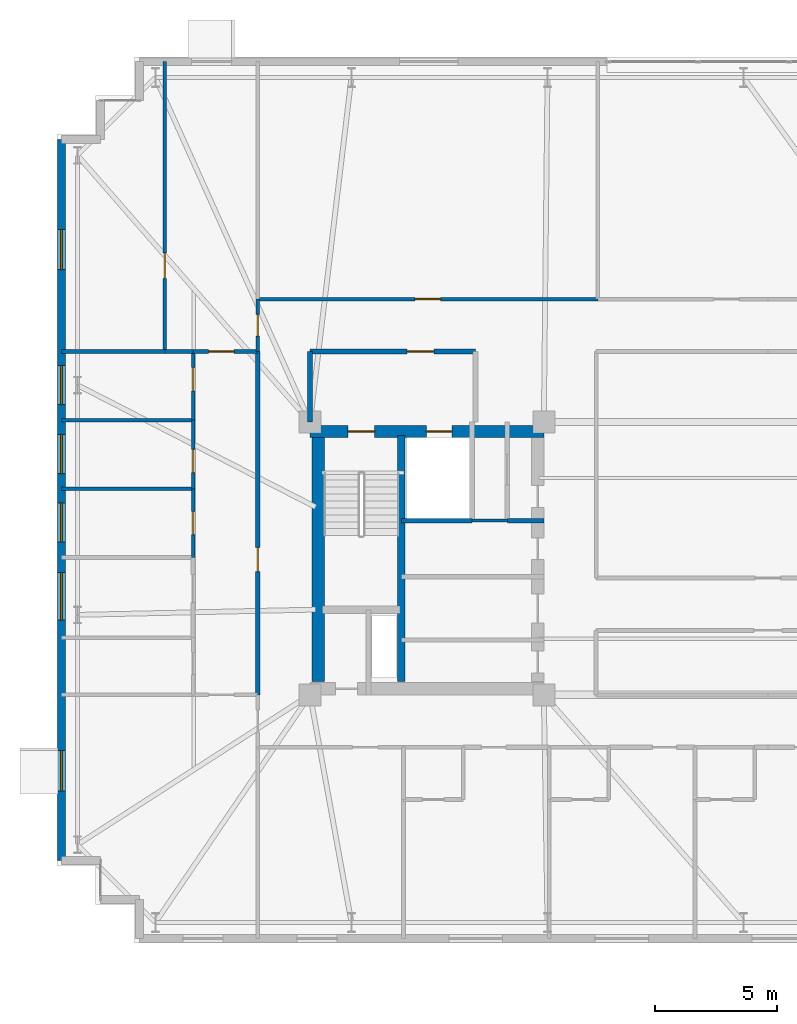
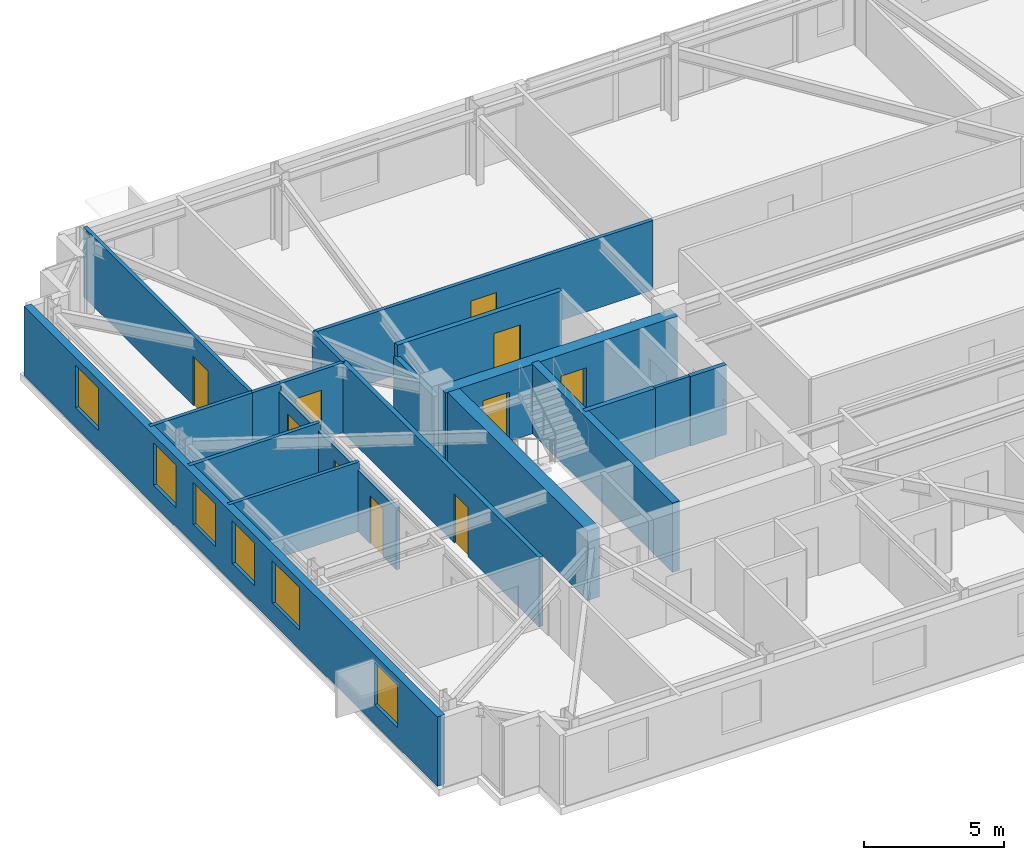
# One storey, part 13 of 18: 21 walls, 11 doors, 6 windows, 17 openings.
"""IFC4 building model written with IfcOpenShell, lengths in metres."""

from ifc_helpers import new_model, si_unit, direction, frame, frame_2d, origin, place, context, subcontext, project, spatial, rectangle, extrude, material, layer, layer_set, type_object, element, fill, save


model = new_model("IFC4")

# Units and contexts
model_context = context("Model", 3, precision=1e-05, world=origin(), true_north=direction((0.0, 1.0)))
body_context = subcontext(model_context, "Body", "Model", "MODEL_VIEW")
ifc_project = project(units=[si_unit("LENGTHUNIT", "METRE"), si_unit("AREAUNIT", "SQUARE_METRE"), si_unit("VOLUMEUNIT", "CUBIC_METRE"), si_unit("PLANEANGLEUNIT", "RADIAN"), si_unit("MASSUNIT", "GRAM", prefix="KILO")], contexts=[model_context])

# Site, building, storey
site_placement = place(None, origin())
site = spatial("IfcSite", under=ifc_project, at=site_placement, CompositionType="ELEMENT")
building_placement = place(site_placement, origin())
building = spatial("IfcBuilding", under=site, at=building_placement, Name="Qobustan Lattice House", CompositionType="ELEMENT")
storey_placement = place(building_placement, frame((0.0, 0.0, 154.449951171875)))
storey = spatial("IfcBuildingStorey", under=building, at=storey_placement, Name="L43", CompositionType="ELEMENT", Elevation=154.449951171875)

# Wall, openings, doors
ifc_material_1 = material(Name="Concrete C50/60", Category="concrete")
ifc_layer_1 = layer(ifc_material_1, 0.5)
ifc_layer_set_1 = layer_set([ifc_layer_1], Name="Concrete C50/60")
wall_type_1 = type_object("IfcWallType", Name="WAL-CORE-500", PredefinedType="SHEAR", material=ifc_layer_set_1)
wall_1_placement = place(storey_placement, frame((-18.800048828125, 5.2099609375, 0.0), z_axis=(0.0, 0.0, 1.0), x_axis=(1.0, 0.0, 0.0)))
wall_1 = element("IfcWall", 1, at=wall_1_placement, inside=storey, type_object=wall_type_1, Name="L43 split-core shear wall CW-N", PredefinedType="SHEAR", context=body_context, shape_type="SweptSolid", body=[
    extrude(rectangle(XDim=9.60009765625, YDim=0.5, at=frame_2d((4.800048828125, 0.0))), origin(), (0.0, 0.0, 1.0), 3.0400390625),
])
opening_1_placement = place(wall_1_placement, frame((1.550048828125, 0.0, 0.0)))
opening_1 = element("IfcOpeningElement", 2, at=opening_1_placement, cuts=wall_1, Name="Opening SD-01", PredefinedType="OPENING", context=body_context, shape_type="SweptSolid", body=[
    extrude(rectangle(XDim=1.10009765625, YDim=2.14990234375, at=frame_2d((0.550048828125, 1.074951171875))), frame((0.0, 0.260009765625, 0.0), z_axis=(0.0, -1.0, 0.0), x_axis=(1.0, 0.0, 0.0)), (0.0, 0.0, 1.0), 0.52001953125),
])
opening_2_placement = place(wall_1_placement, frame((4.77490234375, 0.0, 0.0)))
opening_2 = element("IfcOpeningElement", 3, at=opening_2_placement, cuts=wall_1, Name="Opening LD-01", PredefinedType="OPENING", context=body_context, shape_type="SweptSolid", body=[
    extrude(rectangle(XDim=1.050048828125, YDim=2.10009765625, at=frame_2d((0.52490234375, 1.050048828125))), frame((0.0, 0.260009765625, 0.0), z_axis=(0.0, -1.0, 0.0), x_axis=(1.0, 0.0, 0.0)), (0.0, 0.0, 1.0), 0.52001953125),
])
ifc_material_2 = material(Name="Persian walnut timber and steel frame door", Category="steel")
door_type_1 = type_object("IfcDoorType", Name="DOR-LIFT-LD-1050x2100", OperationType="NOTDEFINED", PredefinedType="DOOR", material=ifc_material_2)
door_1_placement = place(opening_2_placement, origin())
door_1 = element("IfcDoor", 4, at=door_1_placement, inside=storey, type_object=door_type_1, Name="L43 firefighting lift FF-W landing door", OperationType="DOUBLE_DOOR_SLIDING", OverallHeight=2.10009765625, OverallWidth=1.050048828125, PredefinedType="DOOR", context=body_context, shape_type="SweptSolid", body=[
    extrude(rectangle(XDim=1.050048828125, YDim=2.10009765625, at=frame_2d((0.52490234375, 1.050048828125))), frame((0.0, 0.02490234375, 0.0), z_axis=(0.0, -1.0, 0.0), x_axis=(1.0, 0.0, 0.0)), (0.0, 0.0, 1.0), 0.050048828125),
])
fill(opening_2, door_1)
ifc_material_3 = material(Name="Persian walnut timber and steel frame door", Category="steel")
door_type_2 = type_object("IfcDoorType", Name="DOR-STAIR-FD-1100x2150", OperationType="NOTDEFINED", PredefinedType="DOOR", material=ifc_material_3)
door_2_placement = place(opening_1_placement, origin())
door_2 = element("IfcDoor", 5, at=door_2_placement, inside=storey, type_object=door_type_2, Name="L43 exit stair ST-W1 fire door", OperationType="SINGLE_SWING_RIGHT", OverallHeight=2.14990234375, OverallWidth=1.10009765625, PredefinedType="DOOR", context=body_context, shape_type="SweptSolid", body=[
    extrude(rectangle(XDim=1.10009765625, YDim=2.14990234375, at=frame_2d((0.550048828125, 1.074951171875))), frame((0.0, 0.02490234375, 0.0), z_axis=(0.0, -1.0, 0.0), x_axis=(1.0, 0.0, 0.0)), (0.0, 0.0, 1.0), 0.050048828125),
])
fill(opening_1, door_2)

# Walls
wall_2_placement = place(storey_placement, frame((-18.4599609375, -5.050048828125, 0.0), z_axis=(0.0, 0.0, 1.0), x_axis=(0.0, 1.0, 0.0)))
element("IfcWall", 6, at=wall_2_placement, inside=storey, type_object=wall_type_1, Name="L43 split-core shear wall CW-W", PredefinedType="SHEAR", context=body_context, shape_type="SweptSolid", body=[
    extrude(rectangle(XDim=10.10009765625, YDim=0.5, at=frame_2d((5.050048828125, 0.0))), origin(), (0.0, 0.0, 1.0), 3.0400390625),
])
ifc_material_4 = material(Name="Concrete C50/60", Category="concrete")
ifc_layer_2 = layer(ifc_material_4, 0.280029296875)
ifc_layer_set_2 = layer_set([ifc_layer_2], Name="Concrete C50/60")
wall_type_2 = type_object("IfcWallType", Name="WAL-CORE-SPINE-280", PredefinedType="SHEAR", material=ifc_layer_set_2)
wall_3_placement = place(storey_placement, frame((-15.050048828125, -5.050048828125, 0.0), z_axis=(0.0, 0.0, 1.0), x_axis=(0.0, 1.0, 0.0)))
element("IfcWall", 7, at=wall_3_placement, inside=storey, type_object=wall_type_2, Name="L43 split-core shear wall CW-M", PredefinedType="SHEAR", context=body_context, shape_type="SweptSolid", body=[
    extrude(rectangle(XDim=10.10009765625, YDim=0.300048828125, at=frame_2d((5.050048828125, 0.0))), origin(), (0.0, 0.0, 1.0), 3.0400390625),
])

# Wall, openings, windows
ifc_material_5 = material(Name="Precast concrete C40/50", Category="concrete")
ifc_layer_3 = layer(ifc_material_5, 0.320068359375)
ifc_layer_set_3 = layer_set([ifc_layer_3], Name="Precast concrete C40/50")
wall_type_3 = type_object("IfcWallType", Name="WAL-EXT-STONE-320", PredefinedType="SOLIDWALL", material=ifc_layer_set_3)
wall_4_placement = place(storey_placement, frame((-29.0, -12.39990234375, 0.0), z_axis=(0.0, 0.0, 1.0), x_axis=(0.0, 1.0, 0.0)))
wall_4 = element("IfcWall", 8, at=wall_4_placement, inside=storey, type_object=wall_type_3, Name="L43 exterior limestone-clad wall 5", PredefinedType="SOLIDWALL", context=body_context, shape_type="SweptSolid", body=[
    extrude(rectangle(XDim=29.599853515625, YDim=0.320068359375, at=frame_2d((14.7998046875, 0.0))), origin(), (0.0, 0.0, 1.0), 3.0400390625),
])
opening_3_placement = place(wall_4_placement, frame((2.85498046875, 0.0, 0.85009765625)))
opening_3 = element("IfcOpeningElement", 9, at=opening_3_placement, cuts=wall_4, Name="Opening WN-09", PredefinedType="OPENING", context=body_context, shape_type="SweptSolid", body=[
    extrude(rectangle(XDim=1.64990234375, YDim=1.85009765625, at=frame_2d((0.824951171875, 0.925048828125))), frame((0.0, 0.169921875, 0.0), z_axis=(0.0, -1.0, 0.0), x_axis=(1.0, 0.0, 0.0)), (0.0, 0.0, 1.0), 0.340087890625),
])
opening_4_placement = place(wall_4_placement, frame((9.864990234375, 0.0, 0.85009765625)))
opening_4 = element("IfcOpeningElement", 10, at=opening_4_placement, cuts=wall_4, Name="Opening WN-08", PredefinedType="OPENING", context=body_context, shape_type="SweptSolid", body=[
    extrude(rectangle(XDim=1.949951171875, YDim=1.85009765625, at=frame_2d((0.97509765625, 0.925048828125))), frame((0.0, 0.169921875, 0.0), z_axis=(0.0, -1.0, 0.0), x_axis=(1.0, 0.0, 0.0)), (0.0, 0.0, 1.0), 0.340087890625),
])
opening_5_placement = place(wall_4_placement, frame((13.080078125, 0.0, 0.85009765625)))
opening_5 = element("IfcOpeningElement", 11, at=opening_5_placement, cuts=wall_4, Name="Opening WN-13", PredefinedType="OPENING", context=body_context, shape_type="SweptSolid", body=[
    extrude(rectangle(XDim=1.60009765625, YDim=1.85009765625, at=frame_2d((0.800048828125, 0.925048828125))), frame((0.0, 0.169921875, 0.0), z_axis=(0.0, -1.0, 0.0), x_axis=(1.0, 0.0, 0.0)), (0.0, 0.0, 1.0), 0.340087890625),
])
opening_6_placement = place(wall_4_placement, frame((15.8798828125, 0.0, 0.85009765625)))
opening_6 = element("IfcOpeningElement", 12, at=opening_6_placement, cuts=wall_4, Name="Opening WN-13", PredefinedType="OPENING", context=body_context, shape_type="SweptSolid", body=[
    extrude(rectangle(XDim=1.60009765625, YDim=1.85009765625, at=frame_2d((0.800048828125, 0.925048828125))), frame((0.0, 0.169921875, 0.0), z_axis=(0.0, -1.0, 0.0), x_axis=(1.0, 0.0, 0.0)), (0.0, 0.0, 1.0), 0.340087890625),
])
opening_7_placement = place(wall_4_placement, frame((18.719970703125, 0.0, 0.85009765625)))
opening_7 = element("IfcOpeningElement", 13, at=opening_7_placement, cuts=wall_4, Name="Opening WN-13", PredefinedType="OPENING", context=body_context, shape_type="SweptSolid", body=[
    extrude(rectangle(XDim=1.60009765625, YDim=1.85009765625, at=frame_2d((0.800048828125, 0.925048828125))), frame((0.0, 0.169921875, 0.0), z_axis=(0.0, -1.0, 0.0), x_axis=(1.0, 0.0, 0.0)), (0.0, 0.0, 1.0), 0.340087890625),
])
opening_8_placement = place(wall_4_placement, frame((24.2548828125, 0.0, 0.85009765625)))
opening_8 = element("IfcOpeningElement", 14, at=opening_8_placement, cuts=wall_4, Name="Opening WN-09", PredefinedType="OPENING", context=body_context, shape_type="SweptSolid", body=[
    extrude(rectangle(XDim=1.64990234375, YDim=1.85009765625, at=frame_2d((0.824951171875, 0.925048828125))), frame((0.0, 0.169921875, 0.0), z_axis=(0.0, -1.0, 0.0), x_axis=(1.0, 0.0, 0.0)), (0.0, 0.0, 1.0), 0.340087890625),
])
ifc_material_6 = material(Name="Double-glazed low-E aluminium window", Category="aluminium")
window_type_1 = type_object("IfcWindowType", Name="WIN-BED-1600x1850", PartitioningType="SINGLE_PANEL", PredefinedType="WINDOW", material=ifc_material_6)
window_1_placement = place(opening_5_placement, origin())
window_1 = element("IfcWindow", 15, at=window_1_placement, inside=storey, type_object=window_type_1, Name="L43 Cluster bedroom L43W1 window", OverallHeight=1.85009765625, OverallWidth=1.60009765625, PartitioningType="SINGLE_PANEL", PredefinedType="WINDOW", context=body_context, shape_type="SweptSolid", body=[
    extrude(rectangle(XDim=1.60009765625, YDim=1.85009765625, at=frame_2d((0.800048828125, 0.925048828125))), frame((0.0, 0.030029296875, 0.0), z_axis=(0.0, -1.0, 0.0), x_axis=(1.0, 0.0, 0.0)), (0.0, 0.0, 1.0), 0.06005859375),
])
fill(opening_5, window_1)
window_2_placement = place(opening_6_placement, origin())
window_2 = element("IfcWindow", 16, at=window_2_placement, inside=storey, type_object=window_type_1, Name="L43 Cluster bedroom L43W2 window", OverallHeight=1.85009765625, OverallWidth=1.60009765625, PartitioningType="SINGLE_PANEL", PredefinedType="WINDOW", context=body_context, shape_type="SweptSolid", body=[
    extrude(rectangle(XDim=1.60009765625, YDim=1.85009765625, at=frame_2d((0.800048828125, 0.925048828125))), frame((0.0, 0.030029296875, 0.0), z_axis=(0.0, -1.0, 0.0), x_axis=(1.0, 0.0, 0.0)), (0.0, 0.0, 1.0), 0.06005859375),
])
fill(opening_6, window_2)
window_3_placement = place(opening_7_placement, origin())
window_3 = element("IfcWindow", 17, at=window_3_placement, inside=storey, type_object=window_type_1, Name="L43 Cluster bedroom L43W3 window", OverallHeight=1.85009765625, OverallWidth=1.60009765625, PartitioningType="SINGLE_PANEL", PredefinedType="WINDOW", context=body_context, shape_type="SweptSolid", body=[
    extrude(rectangle(XDim=1.60009765625, YDim=1.85009765625, at=frame_2d((0.800048828125, 0.925048828125))), frame((0.0, 0.030029296875, 0.0), z_axis=(0.0, -1.0, 0.0), x_axis=(1.0, 0.0, 0.0)), (0.0, 0.0, 1.0), 0.06005859375),
])
fill(opening_7, window_3)
ifc_material_7 = material(Name="Double-glazed low-E aluminium window", Category="aluminium")
window_type_2 = type_object("IfcWindowType", Name="WIN-KIT-1950x1850", PartitioningType="SINGLE_PANEL", PredefinedType="WINDOW", material=ifc_material_7)
window_4_placement = place(opening_4_placement, origin())
window_4 = element("IfcWindow", 18, at=window_4_placement, inside=storey, type_object=window_type_2, Name="L43 Shared kitchen L43W window", OverallHeight=1.85009765625, OverallWidth=1.949951171875, PartitioningType="SINGLE_PANEL", PredefinedType="WINDOW", context=body_context, shape_type="SweptSolid", body=[
    extrude(rectangle(XDim=1.949951171875, YDim=1.85009765625, at=frame_2d((0.97509765625, 0.925048828125))), frame((0.0, 0.030029296875, 0.0), z_axis=(0.0, -1.0, 0.0), x_axis=(1.0, 0.0, 0.0)), (0.0, 0.0, 1.0), 0.06005859375),
])
fill(opening_4, window_4)
ifc_material_8 = material(Name="Double-glazed low-E aluminium window", Category="aluminium")
window_type_3 = type_object("IfcWindowType", Name="WIN-STU-1650x1850", PartitioningType="SINGLE_PANEL", PredefinedType="WINDOW", material=ifc_material_8)
window_5_placement = place(opening_3_placement, origin())
window_5 = element("IfcWindow", 19, at=window_5_placement, inside=storey, type_object=window_type_3, Name="L43 Reading study room L43WS window", OverallHeight=1.85009765625, OverallWidth=1.64990234375, PartitioningType="SINGLE_PANEL", PredefinedType="WINDOW", context=body_context, shape_type="SweptSolid", body=[
    extrude(rectangle(XDim=1.64990234375, YDim=1.85009765625, at=frame_2d((0.824951171875, 0.925048828125))), frame((0.0, 0.030029296875, 0.0), z_axis=(0.0, -1.0, 0.0), x_axis=(1.0, 0.0, 0.0)), (0.0, 0.0, 1.0), 0.06005859375),
])
fill(opening_3, window_5)
window_6_placement = place(opening_8_placement, origin())
window_6 = element("IfcWindow", 20, at=window_6_placement, inside=storey, type_object=window_type_3, Name="L43 Collaborative study room L43WN window", OverallHeight=1.85009765625, OverallWidth=1.64990234375, PartitioningType="SINGLE_PANEL", PredefinedType="WINDOW", context=body_context, shape_type="SweptSolid", body=[
    extrude(rectangle(XDim=1.64990234375, YDim=1.85009765625, at=frame_2d((0.824951171875, 0.925048828125))), frame((0.0, 0.030029296875, 0.0), z_axis=(0.0, -1.0, 0.0), x_axis=(1.0, 0.0, 0.0)), (0.0, 0.0, 1.0), 0.06005859375),
])
fill(opening_8, window_6)

# Wall
ifc_material_9 = material(Name="Gypsum fireboard acoustic partition", Category="gypsum")
ifc_layer_4 = layer(ifc_material_9, 0.179931640625)
ifc_layer_set_4 = layer_set([ifc_layer_4], Name="Gypsum fireboard acoustic partition")
wall_type_4 = type_object("IfcWallType", Name="WAL-FIRE-180", PredefinedType="PARTITIONING", material=ifc_layer_set_4)
wall_5_placement = place(storey_placement, frame((-10.699951171875, 1.550048828125, 0.0), z_axis=(0.0, 0.0, 1.0), x_axis=(1.0, 0.0, 0.0)))
element("IfcWall", 21, at=wall_5_placement, inside=storey, type_object=wall_type_4, Name="L43 interior partition 7", PredefinedType="PARTITIONING", context=body_context, shape_type="SweptSolid", body=[
    extrude(rectangle(XDim=1.5, YDim=0.179931640625, at=frame_2d((0.75, 0.0))), origin(), (0.0, 0.0, 1.0), 3.0400390625),
])

# Wall, opening, door
wall_6_placement = place(storey_placement, frame((-20.949951171875, -5.60009765625, 0.0), z_axis=(0.0, 0.0, 1.0), x_axis=(0.0, 1.0, 0.0)))
wall_6 = element("IfcWall", 22, at=wall_6_placement, inside=storey, type_object=wall_type_4, Name="L43 interior partition 60", PredefinedType="PARTITIONING", context=body_context, shape_type="SweptSolid", body=[
    extrude(rectangle(XDim=14.10009765625, YDim=0.179931640625, at=frame_2d((7.050048828125, 0.0))), origin(), (0.0, 0.0, 1.0), 3.0400390625),
])
opening_9_placement = place(wall_6_placement, frame((5.0576171875, 0.0, 0.0)))
opening_9 = element("IfcOpeningElement", 23, at=opening_9_placement, cuts=wall_6, Name="Opening FD-02", PredefinedType="OPENING", context=body_context, shape_type="SweptSolid", body=[
    extrude(rectangle(XDim=1.0, YDim=2.14990234375, at=frame_2d((0.5, 1.074951171875))), frame((0.0, 0.099853515625, 0.0), z_axis=(0.0, -1.0, 0.0), x_axis=(1.0, 0.0, 0.0)), (0.0, 0.0, 1.0), 0.199951171875),
])
ifc_material_10 = material(Name="Persian walnut timber and steel frame door", Category="steel")
door_type_3 = type_object("IfcDoorType", Name="DOR-UNIT-FD-1000x2150", OperationType="NOTDEFINED", PredefinedType="DOOR", material=ifc_material_10)
door_3_placement = place(opening_9_placement, origin())
door_3 = element("IfcDoor", 24, at=door_3_placement, inside=storey, type_object=door_type_3, Name="L43 West wing spine gallery to Residence entrance hall L43W door", OperationType="SINGLE_SWING_LEFT", OverallHeight=2.14990234375, OverallWidth=1.0, PredefinedType="DOOR", context=body_context, shape_type="SweptSolid", body=[
    extrude(rectangle(XDim=1.0, YDim=2.14990234375, at=frame_2d((0.5, 1.074951171875))), frame((0.0, 0.02490234375, 0.0), z_axis=(0.0, -1.0, 0.0), x_axis=(1.0, 0.0, 0.0)), (0.0, 0.0, 1.0), 0.050048828125),
])
fill(opening_9, door_3)

# Wall
ifc_material_11 = material(Name="Lightweight acoustic stud partition", Category="gypsum")
ifc_layer_5 = layer(ifc_material_11, 0.125)
ifc_layer_set_5 = layer_set([ifc_layer_5], Name="Lightweight acoustic stud partition")
wall_type_5 = type_object("IfcWallType", Name="WAL-PART-125", PredefinedType="PARTITIONING", material=ifc_layer_set_5)
wall_7_placement = place(storey_placement, frame((-12.14990234375, 1.550048828125, 0.0), z_axis=(0.0, 0.0, 1.0), x_axis=(1.0, 0.0, 0.0)))
element("IfcWall", 25, at=wall_7_placement, inside=storey, type_object=wall_type_5, Name="L43 interior partition 9", PredefinedType="PARTITIONING", context=body_context, shape_type="SweptSolid", body=[
    extrude(rectangle(XDim=1.449951171875, YDim=0.125, at=frame_2d((0.72509765625, 0.0))), origin(), (0.0, 0.0, 1.0), 3.0400390625),
])

# Wall, opening, door
ifc_material_12 = material(Name="Acoustic twin-stud gypsum partition", Category="gypsum")
ifc_layer_6 = layer(ifc_material_12, 0.14990234375)
ifc_layer_set_6 = layer_set([ifc_layer_6], Name="Acoustic twin-stud gypsum partition")
wall_type_6 = type_object("IfcWallType", Name="WAL-PART-150", PredefinedType="PARTITIONING", material=ifc_layer_set_6)
wall_8_placement = place(storey_placement, frame((-20.949951171875, 8.5, 0.0), z_axis=(0.0, 0.0, 1.0), x_axis=(0.0, 1.0, 0.0)))
wall_8 = element("IfcWall", 26, at=wall_8_placement, inside=storey, type_object=wall_type_6, Name="L43 interior partition 34", PredefinedType="PARTITIONING", context=body_context, shape_type="SweptSolid", body=[
    extrude(rectangle(XDim=2.14990234375, YDim=0.14990234375, at=frame_2d((1.074951171875, 0.0))), origin(), (0.0, 0.0, 1.0), 3.0400390625),
])
opening_10_placement = place(wall_8_placement, frame((0.625, 0.0, 0.0)))
opening_10 = element("IfcOpeningElement", 27, at=opening_10_placement, cuts=wall_8, Name="Opening WD-01", PredefinedType="OPENING", context=body_context, shape_type="SweptSolid", body=[
    extrude(rectangle(XDim=0.89990234375, YDim=2.10009765625, at=frame_2d((0.449951171875, 1.050048828125))), frame((0.0, 0.0849609375, 0.0), z_axis=(0.0, -1.0, 0.0), x_axis=(1.0, 0.0, 0.0)), (0.0, 0.0, 1.0), 0.169921875),
])
ifc_material_13 = material(Name="Persian walnut timber and steel frame door", Category="steel")
door_type_4 = type_object("IfcDoorType", Name="DOR-WET-900x2100", OperationType="NOTDEFINED", PredefinedType="DOOR", material=ifc_material_13)
door_4_placement = place(opening_10_placement, origin())
door_4 = element("IfcDoor", 28, at=door_4_placement, inside=storey, type_object=door_type_4, Name="L43 North-west floor corridor to Reading seminar room L43WN door", OperationType="SINGLE_SWING_RIGHT", OverallHeight=2.10009765625, OverallWidth=0.89990234375, PredefinedType="DOOR", context=body_context, shape_type="SweptSolid", body=[
    extrude(rectangle(XDim=0.89990234375, YDim=2.10009765625, at=frame_2d((0.449951171875, 1.050048828125))), frame((0.0, 0.02490234375, 0.0), z_axis=(0.0, -1.0, 0.0), x_axis=(1.0, 0.0, 0.0)), (0.0, 0.0, 1.0), 0.050048828125),
])
fill(opening_10, door_4)

wall_9_placement = place(storey_placement, frame((-20.949951171875, 10.64990234375, 0.0), z_axis=(0.0, 0.0, 1.0), x_axis=(1.0, 0.0, 0.0)))
wall_9 = element("IfcWall", 29, at=wall_9_placement, inside=storey, type_object=wall_type_6, Name="L43 interior partition 35", PredefinedType="PARTITIONING", context=body_context, shape_type="SweptSolid", body=[
    extrude(rectangle(XDim=13.967041015625, YDim=0.14990234375, at=frame_2d((6.9833984375, 0.0))), origin(), (0.0, 0.0, 1.0), 3.0400390625),
])
opening_11_placement = place(wall_9_placement, frame((6.45849609375, 0.0, 0.0)))
opening_11 = element("IfcOpeningElement", 30, at=opening_11_placement, cuts=wall_9, Name="Opening ID-02", PredefinedType="OPENING", context=body_context, shape_type="SweptSolid", body=[
    extrude(rectangle(XDim=1.050048828125, YDim=2.14990234375, at=frame_2d((0.52490234375, 1.074951171875))), frame((0.0, 0.0849609375, 0.0), z_axis=(0.0, -1.0, 0.0), x_axis=(1.0, 0.0, 0.0)), (0.0, 0.0, 1.0), 0.169921875),
])
ifc_material_14 = material(Name="Persian walnut timber and steel frame door", Category="steel")
door_type_5 = type_object("IfcDoorType", Name="DOR-STUDY-1050x2150", OperationType="NOTDEFINED", PredefinedType="DOOR", material=ifc_material_14)
door_5_placement = place(opening_11_placement, origin())
door_5 = element("IfcDoor", 31, at=door_5_placement, inside=storey, type_object=door_type_5, Name="L43 North-west floor corridor to Walnut iwan sky lounge N1 door", OperationType="SINGLE_SWING_LEFT", OverallHeight=2.14990234375, OverallWidth=1.050048828125, PredefinedType="DOOR", context=body_context, shape_type="SweptSolid", body=[
    extrude(rectangle(XDim=1.050048828125, YDim=2.14990234375, at=frame_2d((0.52490234375, 1.074951171875))), frame((0.0, 0.02490234375, 0.0), z_axis=(0.0, -1.0, 0.0), x_axis=(1.0, 0.0, 0.0)), (0.0, 0.0, 1.0), 0.050048828125),
])
fill(opening_11, door_5)

wall_10_placement = place(storey_placement, frame((-23.60009765625, 8.5, 0.0), z_axis=(0.0, 0.0, 1.0), x_axis=(1.0, 0.0, 0.0)))
wall_10 = element("IfcWall", 32, at=wall_10_placement, inside=storey, type_object=wall_type_6, Name="L43 interior partition 70", PredefinedType="PARTITIONING", context=body_context, shape_type="SweptSolid", body=[
    extrude(rectangle(XDim=2.650146484375, YDim=0.14990234375, at=frame_2d((1.3251953125, 0.0))), origin(), (0.0, 0.0, 1.0), 3.0400390625),
])
opening_12_placement = place(wall_10_placement, frame((0.635009765625, 0.0, 0.0)))
opening_12 = element("IfcOpeningElement", 33, at=opening_12_placement, cuts=wall_10, Name="Opening ID-02", PredefinedType="OPENING", context=body_context, shape_type="SweptSolid", body=[
    extrude(rectangle(XDim=1.050048828125, YDim=2.14990234375, at=frame_2d((0.52490234375, 1.074951171875))), frame((0.0, 0.0849609375, 0.0), z_axis=(0.0, -1.0, 0.0), x_axis=(1.0, 0.0, 0.0)), (0.0, 0.0, 1.0), 0.169921875),
])
door_6_placement = place(opening_12_placement, origin())
door_6 = element("IfcDoor", 34, at=door_6_placement, inside=storey, type_object=door_type_5, Name="L43 Residence entrance hall L43W to Reading seminar room L43WN door", OperationType="SINGLE_SWING_LEFT", OverallHeight=2.14990234375, OverallWidth=1.050048828125, PredefinedType="DOOR", context=body_context, shape_type="SweptSolid", body=[
    extrude(rectangle(XDim=1.050048828125, YDim=2.14990234375, at=frame_2d((0.52490234375, 1.074951171875))), frame((0.0, 0.02490234375, 0.0), z_axis=(0.0, -1.0, 0.0), x_axis=(1.0, 0.0, 0.0)), (0.0, 0.0, 1.0), 0.050048828125),
])
fill(opening_12, door_6)

wall_11_placement = place(storey_placement, frame((-23.60009765625, 0.0400390625, 0.0), z_axis=(0.0, 0.0, 1.0), x_axis=(0.0, 1.0, 0.0)))
wall_11 = element("IfcWall", 35, at=wall_11_placement, inside=storey, type_object=wall_type_6, Name="L43 interior partition 74", PredefinedType="PARTITIONING", context=body_context, shape_type="SweptSolid", body=[
    extrude(rectangle(XDim=2.820068359375, YDim=0.14990234375, at=frame_2d((1.41015625, 0.0))), origin(), (0.0, 0.0, 1.0), 2.695068359375),
])
opening_13_placement = place(wall_11_placement, frame((0.93505859375, 0.0, 0.0)))
opening_13 = element("IfcOpeningElement", 36, at=opening_13_placement, cuts=wall_11, Name="Opening ID-01", PredefinedType="OPENING", context=body_context, shape_type="SweptSolid", body=[
    extrude(rectangle(XDim=0.949951171875, YDim=2.10009765625, at=frame_2d((0.47509765625, 1.050048828125))), frame((0.0, 0.0849609375, 0.0), z_axis=(0.0, -1.0, 0.0), x_axis=(1.0, 0.0, 0.0)), (0.0, 0.0, 1.0), 0.169921875),
])
ifc_material_15 = material(Name="Persian walnut timber and steel frame door", Category="steel")
door_type_6 = type_object("IfcDoorType", Name="DOR-ROOM-950x2100", OperationType="NOTDEFINED", PredefinedType="DOOR", material=ifc_material_15)
door_7_placement = place(opening_13_placement, origin())
door_7 = element("IfcDoor", 37, at=door_7_placement, inside=storey, type_object=door_type_6, Name="L43 Residence entrance hall L43W to Cluster bedroom L43W1 door", OperationType="SINGLE_SWING_LEFT", OverallHeight=2.10009765625, OverallWidth=0.949951171875, PredefinedType="DOOR", context=body_context, shape_type="SweptSolid", body=[
    extrude(rectangle(XDim=0.949951171875, YDim=2.10009765625, at=frame_2d((0.47509765625, 1.050048828125))), frame((0.0, 0.02490234375, 0.0), z_axis=(0.0, -1.0, 0.0), x_axis=(1.0, 0.0, 0.0)), (0.0, 0.0, 1.0), 0.050048828125),
])
fill(opening_13, door_7)

wall_12_placement = place(storey_placement, frame((-23.60009765625, 2.860107421875, 0.0), z_axis=(0.0, 0.0, 1.0), x_axis=(0.0, 1.0, 0.0)))
wall_12 = element("IfcWall", 38, at=wall_12_placement, inside=storey, type_object=wall_type_6, Name="L43 interior partition 75", PredefinedType="PARTITIONING", context=body_context, shape_type="SweptSolid", body=[
    extrude(rectangle(XDim=2.81982421875, YDim=0.14990234375, at=frame_2d((1.409912109375, 0.0))), origin(), (0.0, 0.0, 1.0), 2.695068359375),
])
opening_14_placement = place(wall_12_placement, frame((0.668701171875, 0.0, 0.0)))
opening_14 = element("IfcOpeningElement", 39, at=opening_14_placement, cuts=wall_12, Name="Opening ID-01", PredefinedType="OPENING", context=body_context, shape_type="SweptSolid", body=[
    extrude(rectangle(XDim=0.949951171875, YDim=2.10009765625, at=frame_2d((0.47509765625, 1.050048828125))), frame((0.0, 0.0849609375, 0.0), z_axis=(0.0, -1.0, 0.0), x_axis=(1.0, 0.0, 0.0)), (0.0, 0.0, 1.0), 0.169921875),
])
door_8_placement = place(opening_14_placement, origin())
door_8 = element("IfcDoor", 40, at=door_8_placement, inside=storey, type_object=door_type_6, Name="L43 Residence entrance hall L43W to Cluster bedroom L43W2 door", OperationType="SINGLE_SWING_RIGHT", OverallHeight=2.10009765625, OverallWidth=0.949951171875, PredefinedType="DOOR", context=body_context, shape_type="SweptSolid", body=[
    extrude(rectangle(XDim=0.949951171875, YDim=2.10009765625, at=frame_2d((0.47509765625, 1.050048828125))), frame((0.0, 0.02490234375, 0.0), z_axis=(0.0, -1.0, 0.0), x_axis=(1.0, 0.0, 0.0)), (0.0, 0.0, 1.0), 0.050048828125),
])
fill(opening_14, door_8)

wall_13_placement = place(storey_placement, frame((-23.60009765625, 5.679931640625, 0.0), z_axis=(0.0, 0.0, 1.0), x_axis=(0.0, 1.0, 0.0)))
wall_13 = element("IfcWall", 41, at=wall_13_placement, inside=storey, type_object=wall_type_6, Name="L43 interior partition 76", PredefinedType="PARTITIONING", context=body_context, shape_type="SweptSolid", body=[
    extrude(rectangle(XDim=2.820068359375, YDim=0.14990234375, at=frame_2d((1.41015625, 0.0))), origin(), (0.0, 0.0, 1.0), 2.695068359375),
])
opening_15_placement = place(wall_13_placement, frame((1.201171875, 0.0, 0.0)))
opening_15 = element("IfcOpeningElement", 42, at=opening_15_placement, cuts=wall_13, Name="Opening ID-01", PredefinedType="OPENING", context=body_context, shape_type="SweptSolid", body=[
    extrude(rectangle(XDim=0.949951171875, YDim=2.10009765625, at=frame_2d((0.47509765625, 1.050048828125))), frame((0.0, 0.0849609375, 0.0), z_axis=(0.0, -1.0, 0.0), x_axis=(1.0, 0.0, 0.0)), (0.0, 0.0, 1.0), 0.169921875),
])
door_9_placement = place(opening_15_placement, origin())
door_9 = element("IfcDoor", 43, at=door_9_placement, inside=storey, type_object=door_type_6, Name="L43 Residence entrance hall L43W to Cluster bedroom L43W3 door", OperationType="SINGLE_SWING_LEFT", OverallHeight=2.10009765625, OverallWidth=0.949951171875, PredefinedType="DOOR", context=body_context, shape_type="SweptSolid", body=[
    extrude(rectangle(XDim=0.949951171875, YDim=2.10009765625, at=frame_2d((0.47509765625, 1.050048828125))), frame((0.0, 0.02490234375, 0.0), z_axis=(0.0, -1.0, 0.0), x_axis=(1.0, 0.0, 0.0)), (0.0, 0.0, 1.0), 0.050048828125),
])
fill(opening_15, door_9)

wall_14_placement = place(storey_placement, frame((-24.764892578125, 8.5, 0.0), z_axis=(0.0, 0.0, 1.0), x_axis=(0.0, 1.0, 0.0)))
wall_14 = element("IfcWall", 44, at=wall_14_placement, inside=storey, type_object=wall_type_6, Name="L43 interior partition 77", PredefinedType="PARTITIONING", context=body_context, shape_type="SweptSolid", body=[
    extrude(rectangle(XDim=11.89990234375, YDim=0.14990234375, at=frame_2d((5.949951171875, 0.0))), origin(), (0.0, 0.0, 1.0), 3.0400390625),
])
opening_16_placement = place(wall_14_placement, frame((3.00244140625, 0.0, 0.0)))
opening_16 = element("IfcOpeningElement", 45, at=opening_16_placement, cuts=wall_14, Name="Opening ID-02", PredefinedType="OPENING", context=body_context, shape_type="SweptSolid", body=[
    extrude(rectangle(XDim=1.050048828125, YDim=2.14990234375, at=frame_2d((0.52490234375, 1.074951171875))), frame((0.0, 0.0849609375, 0.0), z_axis=(0.0, -1.0, 0.0), x_axis=(1.0, 0.0, 0.0)), (0.0, 0.0, 1.0), 0.169921875),
])
door_10_placement = place(opening_16_placement, origin())
door_10 = element("IfcDoor", 46, at=door_10_placement, inside=storey, type_object=door_type_5, Name="L43 Reading seminar room L43WN to Collaborative study room L43WN door", OperationType="SINGLE_SWING_RIGHT", OverallHeight=2.14990234375, OverallWidth=1.050048828125, PredefinedType="DOOR", context=body_context, shape_type="SweptSolid", body=[
    extrude(rectangle(XDim=1.050048828125, YDim=2.14990234375, at=frame_2d((0.52490234375, 1.074951171875))), frame((0.0, 0.02490234375, 0.0), z_axis=(0.0, -1.0, 0.0), x_axis=(1.0, 0.0, 0.0)), (0.0, 0.0, 1.0), 0.050048828125),
])
fill(opening_16, door_10)

# Walls
wall_15_placement = place(storey_placement, frame((-23.60009765625, 8.5, 0.0), z_axis=(0.0, 0.0, 1.0), x_axis=(-1.0, 0.0, 0.0)))
element("IfcWall", 47, at=wall_15_placement, inside=storey, type_object=wall_type_6, Name="L43 interior partition 78", PredefinedType="PARTITIONING", context=body_context, shape_type="SweptSolid", body=[
    extrude(rectangle(XDim=1.164794921875, YDim=0.14990234375, at=frame_2d((0.58251953125, 0.0))), origin(), (0.0, 0.0, 1.0), 3.0400390625),
])
wall_16_placement = place(storey_placement, frame((-24.764892578125, 8.5, 0.0), z_axis=(0.0, 0.0, 1.0), x_axis=(-1.0, 0.0, 0.0)))
element("IfcWall", 48, at=wall_16_placement, inside=storey, type_object=wall_type_6, Name="L43 interior partition 80", PredefinedType="PARTITIONING", context=body_context, shape_type="SweptSolid", body=[
    extrude(rectangle(XDim=4.235107421875, YDim=0.14990234375, at=frame_2d((2.11767578125, 0.0))), origin(), (0.0, 0.0, 1.0), 3.0400390625),
])
for number, where, z_axis, x_axis, name in (
    (49, (-29.0, 2.860107421875, 0.0), (0.0, 0.0, 1.0), (1.0, 0.0, 0.0), "L43 interior partition 85"),
    (50, (-29.0, 5.679931640625, 0.0), (0.0, 0.0, 1.0), (1.0, 0.0, 0.0), "L43 interior partition 86"),
):
    element("IfcWall", number, at=place(storey_placement, frame(where, z_axis=z_axis, x_axis=x_axis)), inside=storey, type_object=wall_type_6, Name=name, PredefinedType="PARTITIONING", context=body_context, shape_type="SweptSolid", body=[
        extrude(rectangle(XDim=5.39990234375, YDim=0.14990234375, at=frame_2d((2.699951171875, 0.0))), origin(), (0.0, 0.0, 1.0), 3.0400390625),
    ])

# Wall, opening, door
ifc_material_16 = material(Name="Two-hour gypsum fireboard acoustic partition", Category="gypsum")
ifc_layer_7 = layer(ifc_material_16, 0.199951171875)
ifc_layer_set_7 = layer_set([ifc_layer_7], Name="Two-hour gypsum fireboard acoustic partition")
wall_type_7 = type_object("IfcWallType", Name="WAL-PROT-200", PredefinedType="PARTITIONING", material=ifc_layer_set_7)
wall_17_placement = place(storey_placement, frame((-12.0, 8.5, 0.0), z_axis=(0.0, 0.0, 1.0), x_axis=(-1.0, 0.0, 0.0)))
wall_17 = element("IfcWall", 51, at=wall_17_placement, inside=storey, type_object=wall_type_7, Name="L43 interior partition 3", PredefinedType="PARTITIONING", context=body_context, shape_type="SweptSolid", body=[
    extrude(rectangle(XDim=6.800048828125, YDim=0.199951171875, at=frame_2d((3.39990234375, 0.0))), origin(), (0.0, 0.0, 1.0), 3.0400390625),
])
opening_17_placement = place(wall_17_placement, frame((1.715087890625, 0.0, 0.0)))
opening_17 = element("IfcOpeningElement", 52, at=opening_17_placement, cuts=wall_17, Name="Opening SD-01", PredefinedType="OPENING", context=body_context, shape_type="SweptSolid", body=[
    extrude(rectangle(XDim=1.10009765625, YDim=2.14990234375, at=frame_2d((0.550048828125, 1.074951171875))), frame((0.0, 0.10986328125, 0.0), z_axis=(0.0, -1.0, 0.0), x_axis=(1.0, 0.0, 0.0)), (0.0, 0.0, 1.0), 0.219970703125),
])
door_11_placement = place(opening_17_placement, origin())
door_11 = element("IfcDoor", 53, at=door_11_placement, inside=storey, type_object=door_type_2, Name="L43 West firefighting lift lobby to North-west floor corridor door", OperationType="SINGLE_SWING_RIGHT", OverallHeight=2.14990234375, OverallWidth=1.10009765625, PredefinedType="DOOR", context=body_context, shape_type="SweptSolid", body=[
    extrude(rectangle(XDim=1.10009765625, YDim=2.14990234375, at=frame_2d((0.550048828125, 1.074951171875))), frame((0.0, 0.02490234375, 0.0), z_axis=(0.0, -1.0, 0.0), x_axis=(1.0, 0.0, 0.0)), (0.0, 0.0, 1.0), 0.050048828125),
])
fill(opening_17, door_11)

# Walls
wall_18_placement = place(storey_placement, frame((-18.800048828125, 8.5, 0.0), z_axis=(0.0, 0.0, 1.0), x_axis=(0.0, -1.0, 0.0)))
element("IfcWall", 54, at=wall_18_placement, inside=storey, type_object=wall_type_7, Name="L43 interior partition 4", PredefinedType="PARTITIONING", context=body_context, shape_type="SweptSolid", body=[
    extrude(rectangle(XDim=2.89990234375, YDim=0.199951171875, at=frame_2d((1.449951171875, 0.0))), origin(), (0.0, 0.0, 1.0), 2.525146484375),
])
ifc_material_17 = material(Name="Concrete C40/50", Category="concrete")
ifc_layer_8 = layer(ifc_material_17, 0.199951171875)
ifc_layer_set_8 = layer_set([ifc_layer_8], Name="Concrete C40/50")
wall_type_8 = type_object("IfcWallType", Name="WAL-SHAFT-200", PredefinedType="PARTITIONING", material=ifc_layer_set_8)
wall_19_placement = place(storey_placement, frame((-15.050048828125, 1.550048828125, 0.0), z_axis=(0.0, 0.0, 1.0), x_axis=(1.0, 0.0, 0.0)))
element("IfcWall", 55, at=wall_19_placement, inside=storey, type_object=wall_type_8, Name="L43 interior partition 118", PredefinedType="PARTITIONING", context=body_context, shape_type="SweptSolid", body=[
    extrude(rectangle(XDim=2.900146484375, YDim=0.199951171875, at=frame_2d((1.4501953125, 0.0))), origin(), (0.0, 0.0, 1.0), 3.0400390625),
])

save(model, "model.ifc")
